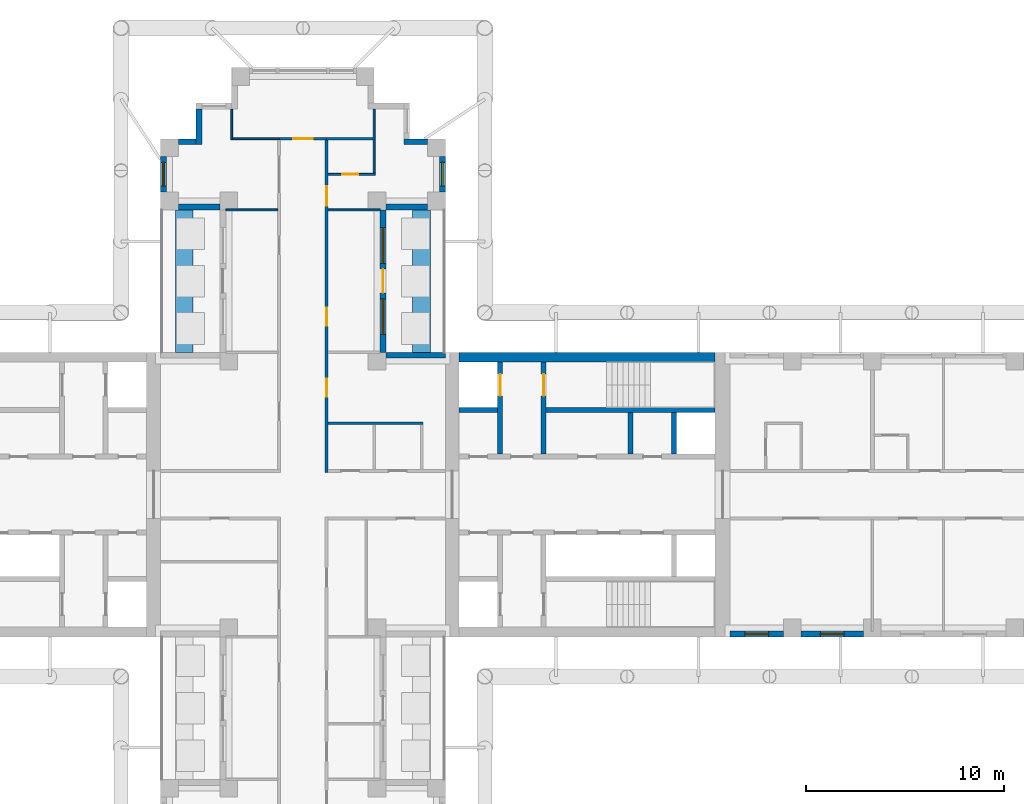
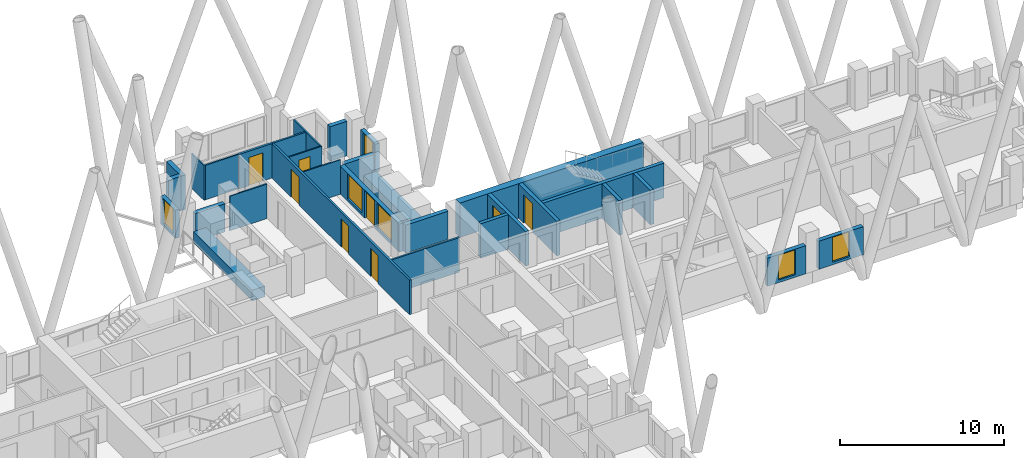
# One storey, part 9 of 14: 30 walls, 8 doors, 6 windows, 14 openings.
"""IFC4 building model written with IfcOpenShell, lengths in metres."""

from ifc_helpers import new_model, si_unit, direction, frame, frame_2d, origin, place, context, subcontext, project, spatial, rectangle, extrude, material, layer, layer_set, type_object, element, fill, save


model = new_model("IFC4")

# Units and contexts
model_context = context("Model", 3, precision=1e-05, world=origin(), true_north=direction((0.0, 1.0)))
body_context = subcontext(model_context, "Body", "Model", "MODEL_VIEW")
ifc_project = project(units=[si_unit("LENGTHUNIT", "METRE"), si_unit("AREAUNIT", "SQUARE_METRE"), si_unit("VOLUMEUNIT", "CUBIC_METRE"), si_unit("PLANEANGLEUNIT", "RADIAN"), si_unit("MASSUNIT", "GRAM", prefix="KILO")], contexts=[model_context])

# Site, building, storey
site_placement = place(None, origin())
site = spatial("IfcSite", under=ifc_project, at=site_placement, CompositionType="ELEMENT")
building_placement = place(site_placement, origin())
building = spatial("IfcBuilding", under=site, at=building_placement, Name="Fustian Cross Tower", CompositionType="ELEMENT")
storey_placement = place(building_placement, frame((0.0, 0.0, 90.89990234375)))
storey = spatial("IfcBuildingStorey", under=building, at=storey_placement, Name="L28", CompositionType="ELEMENT", Elevation=90.89990234375)

# Wall, opening, door
ifc_material_1 = material(Name="Plasterboard on steel stud", Category="steel")
ifc_layer_1 = layer(ifc_material_1, 0.14990234375)
ifc_layer_set_1 = layer_set([ifc_layer_1], Name="Plasterboard on steel stud")
wall_type_1 = type_object("IfcWallType", Name="COMPARTMENT WALL 150 EI 60", PredefinedType="PARTITIONING", material=ifc_layer_set_1)
wall_1_placement = place(storey_placement, frame((-1.199951171875, 18.0, 0.0), z_axis=(0.0, 0.0, 1.0), x_axis=(1.0, 0.0, 0.0)))
wall_1 = element("IfcWall", 1, at=wall_1_placement, inside=storey, type_object=wall_type_1, Name="Partition 40", PredefinedType="PARTITIONING", context=body_context, shape_type="SweptSolid", body=[
    extrude(rectangle(XDim=2.39990234375, YDim=0.14990234375, at=frame_2d((1.199951171875, 0.0))), origin(), (0.0, 0.0, 1.0), 2.5751953125),
])
opening_1_placement = place(wall_1_placement, frame((0.699951171875, 0.0, 0.0)))
opening_1 = element("IfcOpeningElement", 2, at=opening_1_placement, cuts=wall_1, Name="Opening D13017", PredefinedType="OPENING", context=body_context, shape_type="SweptSolid", body=[
    extrude(rectangle(XDim=1.0, YDim=2.10009765625, at=frame_2d((0.5, 1.050048828125))), frame((0.0, 0.0849609375, 0.0), z_axis=(0.0, -1.0, 0.0), x_axis=(1.0, 0.0, 0.0)), (0.0, 0.0, 1.0), 0.169921875),
])
ifc_material_2 = material(Name="Timber fire door set", Category="wood")
door_type_1 = type_object("IfcDoorType", Name="FIRE SWING DOOR 1000 FD30S", OperationType="SINGLE_SWING_LEFT", PredefinedType="DOOR", material=ifc_material_2)
door_1_placement = place(opening_1_placement, origin())
door_1 = element("IfcDoor", 3, at=door_1_placement, inside=storey, type_object=door_type_1, Name="Door D13017", OperationType="SINGLE_SWING_LEFT", OverallHeight=2.10009765625, OverallWidth=1.0, PredefinedType="DOOR", context=body_context, shape_type="SweptSolid", body=[
    extrude(rectangle(XDim=1.0, YDim=2.10009765625, at=frame_2d((0.5, 1.050048828125))), frame((0.0, 0.02490234375, 0.0), z_axis=(0.0, -1.0, 0.0), x_axis=(1.0, 0.0, 0.0)), (0.0, 0.0, 1.0), 0.050048828125),
])
fill(opening_1, door_1)

# Wall, openings, doors
wall_2_placement = place(storey_placement, frame((1.199951171875, 1.125, 0.0), z_axis=(0.0, 0.0, 1.0), x_axis=(0.0, 1.0, 0.0)))
wall_2 = element("IfcWall", 4, at=wall_2_placement, inside=storey, type_object=wall_type_1, Name="Partition 49", PredefinedType="PARTITIONING", context=body_context, shape_type="SweptSolid", body=[
    extrude(rectangle(XDim=16.800048828125, YDim=0.14990234375, at=frame_2d((8.39990234375, 0.0))), origin(), (0.0, 0.0, 1.0), 2.5751953125),
])
opening_2_placement = place(wall_2_placement, frame((3.824951171875, 0.0, 0.0)))
opening_2 = element("IfcOpeningElement", 5, at=opening_2_placement, cuts=wall_2, Name="Opening D13003", PredefinedType="OPENING", context=body_context, shape_type="SweptSolid", body=[
    extrude(rectangle(XDim=0.89990234375, YDim=2.10009765625, at=frame_2d((0.449951171875, 1.050048828125))), frame((0.0, 0.0849609375, 0.0), z_axis=(0.0, -1.0, 0.0), x_axis=(1.0, 0.0, 0.0)), (0.0, 0.0, 1.0), 0.169921875),
])
opening_3_placement = place(wall_2_placement, frame((7.425048828125, 0.0, 0.0)))
opening_3 = element("IfcOpeningElement", 6, at=opening_3_placement, cuts=wall_2, Name="Opening D13020", PredefinedType="OPENING", context=body_context, shape_type="SweptSolid", body=[
    extrude(rectangle(XDim=0.89990234375, YDim=2.10009765625, at=frame_2d((0.449951171875, 1.050048828125))), frame((0.0, 0.0849609375, 0.0), z_axis=(0.0, -1.0, 0.0), x_axis=(1.0, 0.0, 0.0)), (0.0, 0.0, 1.0), 0.169921875),
])
opening_4_placement = place(wall_2_placement, frame((13.47509765625, 0.0, 0.0)))
opening_4 = element("IfcOpeningElement", 7, at=opening_4_placement, cuts=wall_2, Name="Opening D13022", PredefinedType="OPENING", context=body_context, shape_type="SweptSolid", body=[
    extrude(rectangle(XDim=1.0, YDim=2.10009765625, at=frame_2d((0.5, 1.050048828125))), frame((0.0, 0.0849609375, 0.0), z_axis=(0.0, -1.0, 0.0), x_axis=(1.0, 0.0, 0.0)), (0.0, 0.0, 1.0), 0.169921875),
])
door_2_placement = place(opening_4_placement, frame((1.0, 0.0, 0.0), z_axis=(0.0, 0.0, 1.0), x_axis=(-1.0, 0.0, 0.0)))
door_2 = element("IfcDoor", 8, at=door_2_placement, inside=storey, type_object=door_type_1, Name="Door D13022", OperationType="SINGLE_SWING_RIGHT", OverallHeight=2.10009765625, OverallWidth=1.0, PredefinedType="DOOR", context=body_context, shape_type="SweptSolid", body=[
    extrude(rectangle(XDim=1.0, YDim=2.10009765625, at=frame_2d((0.5, 1.050048828125))), frame((0.0, 0.02490234375, 0.0), z_axis=(0.0, -1.0, 0.0), x_axis=(1.0, 0.0, 0.0)), (0.0, 0.0, 1.0), 0.050048828125),
])
fill(opening_4, door_2)
ifc_material_3 = material(Name="Timber fire door set", Category="wood")
door_type_2 = type_object("IfcDoorType", Name="FIRE SWING DOOR 900 FD30S", OperationType="SINGLE_SWING_LEFT", PredefinedType="DOOR", material=ifc_material_3)
door_3_placement = place(opening_2_placement, frame((0.89990234375, 0.0, 0.0), z_axis=(0.0, 0.0, 1.0), x_axis=(-1.0, 0.0, 0.0)))
door_3 = element("IfcDoor", 9, at=door_3_placement, inside=storey, type_object=door_type_2, Name="Door D13003", OperationType="SINGLE_SWING_RIGHT", OverallHeight=2.10009765625, OverallWidth=0.89990234375, PredefinedType="DOOR", context=body_context, shape_type="SweptSolid", body=[
    extrude(rectangle(XDim=0.89990234375, YDim=2.10009765625, at=frame_2d((0.449951171875, 1.050048828125))), frame((0.0, 0.02490234375, 0.0), z_axis=(0.0, -1.0, 0.0), x_axis=(1.0, 0.0, 0.0)), (0.0, 0.0, 1.0), 0.050048828125),
])
fill(opening_2, door_3)
door_4_placement = place(opening_3_placement, frame((0.89990234375, 0.0, 0.0), z_axis=(0.0, 0.0, 1.0), x_axis=(-1.0, 0.0, 0.0)))
door_4 = element("IfcDoor", 10, at=door_4_placement, inside=storey, type_object=door_type_2, Name="Door D13020", OperationType="SINGLE_SWING_RIGHT", OverallHeight=2.10009765625, OverallWidth=0.89990234375, PredefinedType="DOOR", context=body_context, shape_type="SweptSolid", body=[
    extrude(rectangle(XDim=0.89990234375, YDim=2.10009765625, at=frame_2d((0.449951171875, 1.050048828125))), frame((0.0, 0.02490234375, 0.0), z_axis=(0.0, -1.0, 0.0), x_axis=(1.0, 0.0, 0.0)), (0.0, 0.0, 1.0), 0.050048828125),
])
fill(opening_3, door_4)

# Walls
ifc_material_4 = material(Name="Concrete C70/85", Category="concrete")
ifc_layer_2 = layer(ifc_material_4, 0.5)
ifc_layer_set_2 = layer_set([ifc_layer_2], Name="Concrete C70/85")
wall_type_2 = type_object("IfcWallType", Name="CORE FACADE WALL 500 C70/85", PredefinedType="SHEAR", material=ifc_layer_set_2)
wall_3_placement = place(storey_placement, frame((7.89990234375, 6.949951171875, 0.0), z_axis=(0.0, 0.0, 1.0), x_axis=(1.0, 0.0, 0.0)))
element("IfcWall", 11, at=wall_3_placement, inside=storey, type_object=wall_type_2, Name="Core facade wall", PredefinedType="SHEAR", context=body_context, shape_type="SweptSolid", body=[
    extrude(rectangle(XDim=12.9501953125, YDim=0.5, at=frame_2d((6.47509765625, 0.0))), origin(), (0.0, 0.0, 1.0), 2.5751953125),
])
ifc_material_5 = material(Name="Concrete C50/60", Category="concrete")
ifc_layer_3 = layer(ifc_material_5, 0.25)
ifc_layer_set_3 = layer_set([ifc_layer_3], Name="Concrete C50/60")
wall_type_3 = type_object("IfcWallType", Name="CORE SHAFT WALL 250 C50/60", PredefinedType="SHEAR", material=ifc_layer_set_3)
wall_4_placement = place(storey_placement, frame((7.89990234375, 4.27490234375, 0.0), z_axis=(0.0, 0.0, 1.0), x_axis=(1.0, 0.0, 0.0)))
element("IfcWall", 12, at=wall_4_placement, inside=storey, type_object=wall_type_3, Name="Core shaft wall", PredefinedType="SHEAR", context=body_context, shape_type="SweptSolid", body=[
    extrude(rectangle(XDim=1.9501953125, YDim=0.25, at=frame_2d((0.97509765625, 0.0))), origin(), (0.0, 0.0, 1.0), 2.5751953125),
])
wall_5_placement = place(storey_placement, frame((12.300048828125, 4.27490234375, 0.0), z_axis=(0.0, 0.0, 1.0), x_axis=(1.0, 0.0, 0.0)))
element("IfcWall", 13, at=wall_5_placement, inside=storey, type_object=wall_type_3, Name="Core shaft wall", PredefinedType="SHEAR", context=body_context, shape_type="SweptSolid", body=[
    extrude(rectangle(XDim=8.550048828125, YDim=0.25, at=frame_2d((4.27490234375, 0.0))), origin(), (0.0, 0.0, 1.0), 2.5751953125),
])

# Wall, opening, door
wall_6_placement = place(storey_placement, frame((9.97509765625, 2.050048828125, 0.0), z_axis=(0.0, 0.0, 1.0), x_axis=(0.0, 1.0, 0.0)))
wall_6 = element("IfcWall", 14, at=wall_6_placement, inside=storey, type_object=wall_type_3, Name="Core shaft wall", PredefinedType="SHEAR", context=body_context, shape_type="SweptSolid", body=[
    extrude(rectangle(XDim=4.64990234375, YDim=0.25, at=frame_2d((2.324951171875, 0.0))), origin(), (0.0, 0.0, 1.0), 2.5751953125),
])
opening_5_placement = place(wall_6_placement, frame((2.949951171875, 0.0, 0.0)))
opening_5 = element("IfcOpeningElement", 15, at=opening_5_placement, cuts=wall_6, Name="Opening LD", PredefinedType="OPENING", context=body_context, shape_type="SweptSolid", body=[
    extrude(rectangle(XDim=1.10009765625, YDim=2.10009765625, at=frame_2d((0.550048828125, 1.050048828125))), frame((0.0, 0.135009765625, 0.0), z_axis=(0.0, -1.0, 0.0), x_axis=(1.0, 0.0, 0.0)), (0.0, 0.0, 1.0), 0.27001953125),
])
ifc_material_6 = material(Name="Stainless steel", Category="steel")
door_type_3 = type_object("IfcDoorType", Name="LIFT LANDING DOOR 1100X2100", OperationType="SLIDING_TO_LEFT", PredefinedType="DOOR", material=ifc_material_6)
door_5_placement = place(opening_5_placement, origin())
door_5 = element("IfcDoor", 16, at=door_5_placement, inside=storey, type_object=door_type_3, Name="Landing door FL1", OperationType="SLIDING_TO_LEFT", OverallHeight=2.10009765625, OverallWidth=1.10009765625, PredefinedType="DOOR", context=body_context, shape_type="SweptSolid", body=[
    extrude(rectangle(XDim=1.10009765625, YDim=2.10009765625, at=frame_2d((0.550048828125, 1.050048828125))), frame((0.0, 0.02490234375, 0.0), z_axis=(0.0, -1.0, 0.0), x_axis=(1.0, 0.0, 0.0)), (0.0, 0.0, 1.0), 0.050048828125),
])
fill(opening_5, door_5)

wall_7_placement = place(storey_placement, frame((12.175048828125, 2.050048828125, 0.0), z_axis=(0.0, 0.0, 1.0), x_axis=(0.0, 1.0, 0.0)))
wall_7 = element("IfcWall", 17, at=wall_7_placement, inside=storey, type_object=wall_type_3, Name="Core shaft wall", PredefinedType="SHEAR", context=body_context, shape_type="SweptSolid", body=[
    extrude(rectangle(XDim=4.64990234375, YDim=0.25, at=frame_2d((2.324951171875, 0.0))), origin(), (0.0, 0.0, 1.0), 2.5751953125),
])
opening_6_placement = place(wall_7_placement, frame((2.949951171875, 0.0, 0.0)))
opening_6 = element("IfcOpeningElement", 18, at=opening_6_placement, cuts=wall_7, Name="Opening CD-11-06", PredefinedType="OPENING", context=body_context, shape_type="SweptSolid", body=[
    extrude(rectangle(XDim=1.10009765625, YDim=2.10009765625, at=frame_2d((0.550048828125, 1.050048828125))), frame((0.0, 0.135009765625, 0.0), z_axis=(0.0, -1.0, 0.0), x_axis=(1.0, 0.0, 0.0)), (0.0, 0.0, 1.0), 0.27001953125),
])
ifc_material_7 = material(Name="Steel", Category="steel")
door_type_4 = type_object("IfcDoorType", Name="FIRE DOOR FD60S 1100X2100", OperationType="SINGLE_SWING_LEFT", PredefinedType="DOOR", material=ifc_material_7)
door_6_placement = place(opening_6_placement, frame((1.10009765625, 0.0, 0.0), z_axis=(0.0, 0.0, 1.0), x_axis=(-1.0, 0.0, 0.0)))
door_6 = element("IfcDoor", 19, at=door_6_placement, inside=storey, type_object=door_type_4, Name="Core door CD-11-06", OperationType="SINGLE_SWING_RIGHT", OverallHeight=2.10009765625, OverallWidth=1.10009765625, PredefinedType="DOOR", context=body_context, shape_type="SweptSolid", body=[
    extrude(rectangle(XDim=1.10009765625, YDim=2.10009765625, at=frame_2d((0.550048828125, 1.050048828125))), frame((0.0, 0.02490234375, 0.0), z_axis=(0.0, -1.0, 0.0), x_axis=(1.0, 0.0, 0.0)), (0.0, 0.0, 1.0), 0.050048828125),
])
fill(opening_6, door_6)

# Walls
ifc_material_8 = material(Name="Plasterboard on steel stud", Category="steel")
ifc_layer_4 = layer(ifc_material_8, 0.10009765625)
ifc_layer_set_4 = layer_set([ifc_layer_4], Name="Plasterboard on steel stud")
wall_type_4 = type_object("IfcWallType", Name="PARTITION 100 STUD", PredefinedType="PARTITIONING", material=ifc_layer_set_4)
wall_8_placement = place(storey_placement, frame((-3.89990234375, 14.39990234375, 0.0), z_axis=(0.0, 0.0, 1.0), x_axis=(1.0, 0.0, 0.0)))
element("IfcWall", 20, at=wall_8_placement, inside=storey, type_object=wall_type_4, Name="Partition 34", PredefinedType="PARTITIONING", context=body_context, shape_type="SweptSolid", body=[
    extrude(rectangle(XDim=2.625, YDim=0.10009765625, at=frame_2d((1.3125, 0.0))), origin(), (0.0, 0.0, 1.0), 2.5751953125),
])
wall_9_placement = place(storey_placement, frame((-3.60009765625, 17.949951171875, 0.0), z_axis=(0.0, 0.0, 1.0), x_axis=(0.0, 1.0, 0.0)))
element("IfcWall", 21, at=wall_9_placement, inside=storey, type_object=wall_type_4, Name="Partition 35", PredefinedType="PARTITIONING", context=body_context, shape_type="SweptSolid", body=[
    extrude(rectangle(XDim=1.550048828125, YDim=0.10009765625, at=frame_2d((0.77490234375, 0.0))), origin(), (0.0, 0.0, 1.0), 2.5751953125),
])
wall_10_placement = place(storey_placement, frame((-3.550048828125, 18.0, 0.0), z_axis=(0.0, 0.0, 1.0), x_axis=(1.0, 0.0, 0.0)))
element("IfcWall", 22, at=wall_10_placement, inside=storey, type_object=wall_type_4, Name="Partition 36", PredefinedType="PARTITIONING", context=body_context, shape_type="SweptSolid", body=[
    extrude(rectangle(XDim=2.35009765625, YDim=0.10009765625, at=frame_2d((1.175048828125, 0.0))), origin(), (0.0, 0.0, 1.0), 2.5751953125),
])
wall_11_placement = place(storey_placement, frame((1.27490234375, 14.39990234375, 0.0), z_axis=(0.0, 0.0, 1.0), x_axis=(1.0, 0.0, 0.0)))
element("IfcWall", 23, at=wall_11_placement, inside=storey, type_object=wall_type_4, Name="Partition 53", PredefinedType="PARTITIONING", context=body_context, shape_type="SweptSolid", body=[
    extrude(rectangle(XDim=2.625, YDim=0.10009765625, at=frame_2d((1.3125, 0.0))), origin(), (0.0, 0.0, 1.0), 2.5751953125),
])

# Wall, opening, door
wall_12_placement = place(storey_placement, frame((1.27490234375, 16.199951171875, 0.0), z_axis=(0.0, 0.0, 1.0), x_axis=(1.0, 0.0, 0.0)))
wall_12 = element("IfcWall", 24, at=wall_12_placement, inside=storey, type_object=wall_type_4, Name="Partition 54", PredefinedType="PARTITIONING", context=body_context, shape_type="SweptSolid", body=[
    extrude(rectangle(XDim=2.375, YDim=0.10009765625, at=frame_2d((1.1875, 0.0))), origin(), (0.0, 0.0, 1.0), 2.5751953125),
])
opening_7_placement = place(wall_12_placement, frame((0.72509765625, 0.0, 0.0)))
opening_7 = element("IfcOpeningElement", 25, at=opening_7_placement, cuts=wall_12, Name="Opening D13021", PredefinedType="OPENING", context=body_context, shape_type="SweptSolid", body=[
    extrude(rectangle(XDim=0.800048828125, YDim=2.10009765625, at=frame_2d((0.39990234375, 1.050048828125))), frame((0.0, 0.06005859375, 0.0), z_axis=(0.0, -1.0, 0.0), x_axis=(1.0, 0.0, 0.0)), (0.0, 0.0, 1.0), 0.1201171875),
])
ifc_material_9 = material(Name="Painted timber", Category="wood")
door_type_5 = type_object("IfcDoorType", Name="SWING DOOR 800", OperationType="SINGLE_SWING_LEFT", PredefinedType="DOOR", material=ifc_material_9)
door_7_placement = place(opening_7_placement, origin())
door_7 = element("IfcDoor", 26, at=door_7_placement, inside=storey, type_object=door_type_5, Name="Door D13021", OperationType="SINGLE_SWING_LEFT", OverallHeight=2.10009765625, OverallWidth=0.800048828125, PredefinedType="DOOR", context=body_context, shape_type="SweptSolid", body=[
    extrude(rectangle(XDim=0.800048828125, YDim=2.10009765625, at=frame_2d((0.39990234375, 1.050048828125))), frame((0.0, 0.02490234375, 0.0), z_axis=(0.0, -1.0, 0.0), x_axis=(1.0, 0.0, 0.0)), (0.0, 0.0, 1.0), 0.050048828125),
])
fill(opening_7, door_7)

# Walls
wall_13_placement = place(storey_placement, frame((3.60009765625, 16.25, 0.0), z_axis=(0.0, 0.0, 1.0), x_axis=(0.0, 1.0, 0.0)))
element("IfcWall", 27, at=wall_13_placement, inside=storey, type_object=wall_type_4, Name="Partition 64", PredefinedType="PARTITIONING", context=body_context, shape_type="SweptSolid", body=[
    extrude(rectangle(XDim=3.25, YDim=0.10009765625, at=frame_2d((1.625, 0.0))), origin(), (0.0, 0.0, 1.0), 2.5751953125),
])
ifc_material_10 = material(Name="Concrete C40/50", Category="concrete")
ifc_layer_5 = layer(ifc_material_10, 0.89990234375)
ifc_layer_set_5 = layer_set([ifc_layer_5], Name="Concrete C40/50")
wall_type_5 = type_object("IfcWallType", Name="PK1 PLANTER 900", PredefinedType="PARAPET", material=ifc_layer_set_5)
for number, where, z_axis, x_axis, name in (
    (28, (6.0, 7.199951171875, 0.0), (0.0, 0.0, 1.0), (0.0, 1.0, 0.0), "PLANTER"),
    (29, (-6.0, 7.199951171875, 0.0), (0.0, 0.0, 1.0), (0.0, 1.0, 0.0), "PLANTER"),
):
    element("IfcWall", number, at=place(storey_placement, frame(where, z_axis=z_axis, x_axis=x_axis)), inside=storey, type_object=wall_type_5, Name=name, PredefinedType="PARAPET", context=body_context, shape_type="SweptSolid", body=[
        extrude(rectangle(XDim=7.199951171875, YDim=0.89990234375, at=frame_2d((3.60009765625, 0.0))), origin(), (0.0, 0.0, 1.0), 0.800048828125),
    ])
ifc_material_11 = material(Name="Concrete C40/50", Category="concrete")
ifc_layer_6 = layer(ifc_material_11, 0.25)
ifc_layer_set_6 = layer_set([ifc_layer_6], Name="Concrete C40/50")
wall_type_6 = type_object("IfcWallType", Name="SHAFT PARTITION WALL 250 C40/50", PredefinedType="PARTITIONING", material=ifc_layer_set_6)
for number, where, z_axis, x_axis, name in (
    (30, (16.574951171875, 2.050048828125, 0.0), (0.0, 0.0, 1.0), (0.0, 1.0, 0.0), "Core shaft wall"),
    (31, (18.77490234375, 2.050048828125, 0.0), (0.0, 0.0, 1.0), (0.0, 1.0, 0.0), "Core shaft wall"),
):
    element("IfcWall", number, at=place(storey_placement, frame(where, z_axis=z_axis, x_axis=x_axis)), inside=storey, type_object=wall_type_6, Name=name, PredefinedType="PARTITIONING", context=body_context, shape_type="SweptSolid", body=[
        extrude(rectangle(XDim=2.099853515625, YDim=0.25, at=frame_2d((1.0498046875, 0.0))), origin(), (0.0, 0.0, 1.0), 2.5751953125),
    ])
ifc_material_12 = material(Name="Plasterboard on steel stud", Category="steel")
ifc_layer_7 = layer(ifc_material_12, 0.125)
ifc_layer_set_7 = layer_set([ifc_layer_7], Name="Plasterboard on steel stud")
wall_type_7 = type_object("IfcWallType", Name="WET WALL 125 STUD", PredefinedType="PARTITIONING", material=ifc_layer_set_7)
wall_14_placement = place(storey_placement, frame((1.27490234375, 3.60009765625, 0.0), z_axis=(0.0, 0.0, 1.0), x_axis=(1.0, 0.0, 0.0)))
element("IfcWall", 32, at=wall_14_placement, inside=storey, type_object=wall_type_7, Name="Partition 51", PredefinedType="PARTITIONING", context=body_context, shape_type="SweptSolid", body=[
    extrude(rectangle(XDim=4.78759765625, YDim=0.125, at=frame_2d((2.393798828125, 0.0))), origin(), (0.0, 0.0, 1.0), 2.5751953125),
])
wall_15_placement = place(storey_placement, frame((1.199951171875, 18.0, 0.0), z_axis=(0.0, 0.0, 1.0), x_axis=(1.0, 0.0, 0.0)))
element("IfcWall", 33, at=wall_15_placement, inside=storey, type_object=wall_type_7, Name="Partition 55", PredefinedType="PARTITIONING", context=body_context, shape_type="SweptSolid", body=[
    extrude(rectangle(XDim=2.35009765625, YDim=0.125, at=frame_2d((1.175048828125, 0.0))), origin(), (0.0, 0.0, 1.0), 2.5751953125),
])

# Wall, opening, window
ifc_material_13 = material(Name="Dark aluminium cladding on insulated backing wall", Category="aluminium")
ifc_layer_8 = layer(ifc_material_13, 0.300048828125)
ifc_layer_set_8 = layer_set([ifc_layer_8], Name="Dark aluminium cladding on insulated backing wall")
wall_type_8 = type_object("IfcWallType", Name="XW1 EXTERNAL WALL 300", PredefinedType="SOLIDWALL", material=ifc_layer_set_8)
wall_16_placement = place(storey_placement, frame((21.60009765625, -7.050048828125, 0.0), z_axis=(0.0, 0.0, 1.0), x_axis=(1.0, 0.0, 0.0)))
wall_16 = element("IfcWall", 34, at=wall_16_placement, inside=storey, type_object=wall_type_8, Name="External wall", PredefinedType="SOLIDWALL", context=body_context, shape_type="SweptSolid", body=[
    extrude(rectangle(XDim=2.699951171875, YDim=0.300048828125, at=frame_2d((1.35009765625, 0.0))), origin(), (0.0, 0.0, 1.0), 2.10009765625),
])
opening_8_placement = place(wall_16_placement, frame((0.75, 0.0, 0.199951171875)))
opening_8 = element("IfcOpeningElement", 35, at=opening_8_placement, cuts=wall_16, Name="Opening WN3", PredefinedType="OPENING", context=body_context, shape_type="SweptSolid", body=[
    extrude(rectangle(XDim=1.199951171875, YDim=1.85009765625, at=frame_2d((0.60009765625, 0.925048828125))), frame((0.0, 0.159912109375, 0.0), z_axis=(0.0, -1.0, 0.0), x_axis=(1.0, 0.0, 0.0)), (0.0, 0.0, 1.0), 0.320068359375),
])
ifc_material_14 = material(Name="Dark anodised aluminium and double glazing", Category="aluminium")
window_type_1 = type_object("IfcWindowType", Name="WN3 WINDOW 1200X1850", PartitioningType="SINGLE_PANEL", PredefinedType="WINDOW", material=ifc_material_14)
window_1_placement = place(opening_8_placement, origin())
window_1 = element("IfcWindow", 36, at=window_1_placement, inside=storey, type_object=window_type_1, Name="Window", OverallHeight=1.85009765625, OverallWidth=1.199951171875, PartitioningType="SINGLE_PANEL", PredefinedType="WINDOW", context=body_context, shape_type="SweptSolid", body=[
    extrude(rectangle(XDim=1.199951171875, YDim=1.85009765625, at=frame_2d((0.60009765625, 0.925048828125))), frame((0.0, 0.030029296875, 0.0), z_axis=(0.0, -1.0, 0.0), x_axis=(1.0, 0.0, 0.0)), (0.0, 0.0, 1.0), 0.06005859375),
])
fill(opening_8, window_1)

wall_17_placement = place(storey_placement, frame((25.199951171875, -7.050048828125, 0.0), z_axis=(0.0, 0.0, 1.0), x_axis=(1.0, 0.0, 0.0)))
wall_17 = element("IfcWall", 37, at=wall_17_placement, inside=storey, type_object=wall_type_8, Name="External wall", PredefinedType="SOLIDWALL", context=body_context, shape_type="SweptSolid", body=[
    extrude(rectangle(XDim=3.150146484375, YDim=0.300048828125, at=frame_2d((1.5751953125, 0.0))), origin(), (0.0, 0.0, 1.0), 2.10009765625),
])
opening_9_placement = place(wall_17_placement, frame((0.97509765625, 0.0, 0.199951171875)))
opening_9 = element("IfcOpeningElement", 38, at=opening_9_placement, cuts=wall_17, Name="Opening WN3", PredefinedType="OPENING", context=body_context, shape_type="SweptSolid", body=[
    extrude(rectangle(XDim=1.199951171875, YDim=1.85009765625, at=frame_2d((0.60009765625, 0.925048828125))), frame((0.0, 0.159912109375, 0.0), z_axis=(0.0, -1.0, 0.0), x_axis=(1.0, 0.0, 0.0)), (0.0, 0.0, 1.0), 0.320068359375),
])
window_2_placement = place(opening_9_placement, origin())
window_2 = element("IfcWindow", 39, at=window_2_placement, inside=storey, type_object=window_type_1, Name="Window", OverallHeight=1.85009765625, OverallWidth=1.199951171875, PartitioningType="SINGLE_PANEL", PredefinedType="WINDOW", context=body_context, shape_type="SweptSolid", body=[
    extrude(rectangle(XDim=1.199951171875, YDim=1.85009765625, at=frame_2d((0.60009765625, 0.925048828125))), frame((0.0, 0.030029296875, 0.0), z_axis=(0.0, -1.0, 0.0), x_axis=(1.0, 0.0, 0.0)), (0.0, 0.0, 1.0), 0.06005859375),
])
fill(opening_9, window_2)

# Wall
wall_18_placement = place(storey_placement, frame((7.199951171875, 7.050048828125, 0.0), z_axis=(0.0, 0.0, 1.0), x_axis=(-1.0, 0.0, 0.0)))
element("IfcWall", 40, at=wall_18_placement, inside=storey, type_object=wall_type_8, Name="External wall", PredefinedType="SOLIDWALL", context=body_context, shape_type="SweptSolid", body=[
    extrude(rectangle(XDim=3.0, YDim=0.300048828125, at=frame_2d((1.5, 0.0))), origin(), (0.0, 0.0, 1.0), 2.10009765625),
])

# Wall, openings, door, windows
wall_19_placement = place(storey_placement, frame((4.050048828125, 7.199951171875, 0.0), z_axis=(0.0, 0.0, 1.0), x_axis=(0.0, 1.0, 0.0)))
wall_19 = element("IfcWall", 41, at=wall_19_placement, inside=storey, type_object=wall_type_8, Name="External wall", PredefinedType="SOLIDWALL", context=body_context, shape_type="SweptSolid", body=[
    extrude(rectangle(XDim=7.199951171875, YDim=0.300048828125, at=frame_2d((3.60009765625, 0.0))), origin(), (0.0, 0.0, 1.0), 2.10009765625),
])
opening_10_placement = place(wall_19_placement, frame((3.0, 0.0, 0.0)))
opening_10 = element("IfcOpeningElement", 42, at=opening_10_placement, cuts=wall_19, Name="Opening XD1", PredefinedType="OPENING", context=body_context, shape_type="SweptSolid", body=[
    extrude(rectangle(XDim=1.199951171875, YDim=2.050048828125, at=frame_2d((0.60009765625, 1.02490234375))), frame((0.0, 0.159912109375, 0.0), z_axis=(0.0, -1.0, 0.0), x_axis=(1.0, 0.0, 0.0)), (0.0, 0.0, 1.0), 0.320068359375),
])
opening_11_placement = place(wall_19_placement, frame((0.89990234375, 0.0, 0.199951171875)))
opening_11 = element("IfcOpeningElement", 43, at=opening_11_placement, cuts=wall_19, Name="Opening WN2", PredefinedType="OPENING", context=body_context, shape_type="SweptSolid", body=[
    extrude(rectangle(XDim=1.800048828125, YDim=1.85009765625, at=frame_2d((0.89990234375, 0.925048828125))), frame((0.0, 0.159912109375, 0.0), z_axis=(0.0, -1.0, 0.0), x_axis=(1.0, 0.0, 0.0)), (0.0, 0.0, 1.0), 0.320068359375),
])
opening_12_placement = place(wall_19_placement, frame((4.5, 0.0, 0.199951171875)))
opening_12 = element("IfcOpeningElement", 44, at=opening_12_placement, cuts=wall_19, Name="Opening WN2", PredefinedType="OPENING", context=body_context, shape_type="SweptSolid", body=[
    extrude(rectangle(XDim=1.800048828125, YDim=1.85009765625, at=frame_2d((0.89990234375, 0.925048828125))), frame((0.0, 0.159912109375, 0.0), z_axis=(0.0, -1.0, 0.0), x_axis=(1.0, 0.0, 0.0)), (0.0, 0.0, 1.0), 0.320068359375),
])
ifc_material_15 = material(Name="Dark anodised aluminium and double glazing", Category="aluminium")
door_type_6 = type_object("IfcDoorType", Name="ED1 BALCONY DOOR 1200X2050", OperationType="SINGLE_SWING_LEFT", PredefinedType="DOOR", material=ifc_material_15)
door_8_placement = place(opening_10_placement, origin())
door_8 = element("IfcDoor", 45, at=door_8_placement, inside=storey, type_object=door_type_6, Name="Balcony door", OperationType="SINGLE_SWING_LEFT", OverallHeight=2.050048828125, OverallWidth=1.199951171875, PredefinedType="DOOR", context=body_context, shape_type="SweptSolid", body=[
    extrude(rectangle(XDim=1.199951171875, YDim=2.050048828125, at=frame_2d((0.60009765625, 1.02490234375))), frame((0.0, 0.02490234375, 0.0), z_axis=(0.0, -1.0, 0.0), x_axis=(1.0, 0.0, 0.0)), (0.0, 0.0, 1.0), 0.050048828125),
])
fill(opening_10, door_8)
ifc_material_16 = material(Name="Dark anodised aluminium and double glazing", Category="aluminium")
window_type_2 = type_object("IfcWindowType", Name="WN2 WINDOW 1800X1850", PartitioningType="SINGLE_PANEL", PredefinedType="WINDOW", material=ifc_material_16)
window_3_placement = place(opening_11_placement, origin())
window_3 = element("IfcWindow", 46, at=window_3_placement, inside=storey, type_object=window_type_2, Name="Window", OverallHeight=1.85009765625, OverallWidth=1.800048828125, PartitioningType="SINGLE_PANEL", PredefinedType="WINDOW", context=body_context, shape_type="SweptSolid", body=[
    extrude(rectangle(XDim=1.800048828125, YDim=1.85009765625, at=frame_2d((0.89990234375, 0.925048828125))), frame((0.0, 0.030029296875, 0.0), z_axis=(0.0, -1.0, 0.0), x_axis=(1.0, 0.0, 0.0)), (0.0, 0.0, 1.0), 0.06005859375),
])
fill(opening_11, window_3)
window_4_placement = place(opening_12_placement, origin())
window_4 = element("IfcWindow", 47, at=window_4_placement, inside=storey, type_object=window_type_2, Name="Window", OverallHeight=1.85009765625, OverallWidth=1.800048828125, PartitioningType="SINGLE_PANEL", PredefinedType="WINDOW", context=body_context, shape_type="SweptSolid", body=[
    extrude(rectangle(XDim=1.800048828125, YDim=1.85009765625, at=frame_2d((0.89990234375, 0.925048828125))), frame((0.0, 0.030029296875, 0.0), z_axis=(0.0, -1.0, 0.0), x_axis=(1.0, 0.0, 0.0)), (0.0, 0.0, 1.0), 0.06005859375),
])
fill(opening_12, window_4)

# Wall
wall_20_placement = place(storey_placement, frame((4.199951171875, 14.550048828125, 0.0), z_axis=(0.0, 0.0, 1.0), x_axis=(1.0, 0.0, 0.0)))
element("IfcWall", 48, at=wall_20_placement, inside=storey, type_object=wall_type_8, Name="External wall", PredefinedType="SOLIDWALL", context=body_context, shape_type="SweptSolid", body=[
    extrude(rectangle(XDim=2.10009765625, YDim=0.300048828125, at=frame_2d((1.050048828125, 0.0))), origin(), (0.0, 0.0, 1.0), 2.10009765625),
])

# Wall, opening, window
wall_21_placement = place(storey_placement, frame((7.050048828125, 15.300048828125, 0.0), z_axis=(0.0, 0.0, 1.0), x_axis=(0.0, 1.0, 0.0)))
wall_21 = element("IfcWall", 49, at=wall_21_placement, inside=storey, type_object=wall_type_8, Name="External wall", PredefinedType="SOLIDWALL", context=body_context, shape_type="SweptSolid", body=[
    extrude(rectangle(XDim=1.800048828125, YDim=0.300048828125, at=frame_2d((0.89990234375, 0.0))), origin(), (0.0, 0.0, 1.0), 2.10009765625),
])
opening_13_placement = place(wall_21_placement, frame((0.300048828125, 0.0, 0.199951171875)))
opening_13 = element("IfcOpeningElement", 50, at=opening_13_placement, cuts=wall_21, Name="Opening WN3", PredefinedType="OPENING", context=body_context, shape_type="SweptSolid", body=[
    extrude(rectangle(XDim=1.199951171875, YDim=1.85009765625, at=frame_2d((0.60009765625, 0.925048828125))), frame((0.0, 0.159912109375, 0.0), z_axis=(0.0, -1.0, 0.0), x_axis=(1.0, 0.0, 0.0)), (0.0, 0.0, 1.0), 0.320068359375),
])
window_5_placement = place(opening_13_placement, origin())
window_5 = element("IfcWindow", 51, at=window_5_placement, inside=storey, type_object=window_type_1, Name="Window", OverallHeight=1.85009765625, OverallWidth=1.199951171875, PartitioningType="SINGLE_PANEL", PredefinedType="WINDOW", context=body_context, shape_type="SweptSolid", body=[
    extrude(rectangle(XDim=1.199951171875, YDim=1.85009765625, at=frame_2d((0.60009765625, 0.925048828125))), frame((0.0, 0.030029296875, 0.0), z_axis=(0.0, -1.0, 0.0), x_axis=(1.0, 0.0, 0.0)), (0.0, 0.0, 1.0), 0.06005859375),
])
fill(opening_13, window_5)

# Walls
wall_22_placement = place(storey_placement, frame((6.300048828125, 17.85009765625, 0.0), z_axis=(0.0, 0.0, 1.0), x_axis=(-1.0, 0.0, 0.0)))
element("IfcWall", 52, at=wall_22_placement, inside=storey, type_object=wall_type_8, Name="External wall", PredefinedType="SOLIDWALL", context=body_context, shape_type="SweptSolid", body=[
    extrude(rectangle(XDim=1.199951171875, YDim=0.300048828125, at=frame_2d((0.60009765625, 0.0))), origin(), (0.0, 0.0, 1.0), 2.5751953125),
])
wall_23_placement = place(storey_placement, frame((-5.25, 19.5, 0.0), z_axis=(0.0, 0.0, 1.0), x_axis=(0.0, -1.0, 0.0)))
element("IfcWall", 53, at=wall_23_placement, inside=storey, type_object=wall_type_8, Name="External wall", PredefinedType="SOLIDWALL", context=body_context, shape_type="SweptSolid", body=[
    extrude(rectangle(XDim=1.800048828125, YDim=0.300048828125, at=frame_2d((0.89990234375, 0.0))), origin(), (0.0, 0.0, 1.0), 2.5751953125),
])
wall_24_placement = place(storey_placement, frame((-5.39990234375, 17.85009765625, 0.0), z_axis=(0.0, 0.0, 1.0), x_axis=(-1.0, 0.0, 0.0)))
element("IfcWall", 54, at=wall_24_placement, inside=storey, type_object=wall_type_8, Name="External wall", PredefinedType="SOLIDWALL", context=body_context, shape_type="SweptSolid", body=[
    extrude(rectangle(XDim=0.900146484375, YDim=0.300048828125, at=frame_2d((0.4501953125, 0.0))), origin(), (0.0, 0.0, 1.0), 2.5751953125),
])

# Wall, opening, window
wall_25_placement = place(storey_placement, frame((-7.050048828125, 17.10009765625, 0.0), z_axis=(0.0, 0.0, 1.0), x_axis=(0.0, -1.0, 0.0)))
wall_25 = element("IfcWall", 55, at=wall_25_placement, inside=storey, type_object=wall_type_8, Name="External wall", PredefinedType="SOLIDWALL", context=body_context, shape_type="SweptSolid", body=[
    extrude(rectangle(XDim=1.800048828125, YDim=0.300048828125, at=frame_2d((0.89990234375, 0.0))), origin(), (0.0, 0.0, 1.0), 2.10009765625),
])
opening_14_placement = place(wall_25_placement, frame((0.300048828125, 0.0, 0.199951171875)))
opening_14 = element("IfcOpeningElement", 56, at=opening_14_placement, cuts=wall_25, Name="Opening WN3", PredefinedType="OPENING", context=body_context, shape_type="SweptSolid", body=[
    extrude(rectangle(XDim=1.199951171875, YDim=1.85009765625, at=frame_2d((0.60009765625, 0.925048828125))), frame((0.0, 0.159912109375, 0.0), z_axis=(0.0, -1.0, 0.0), x_axis=(1.0, 0.0, 0.0)), (0.0, 0.0, 1.0), 0.320068359375),
])
window_6_placement = place(opening_14_placement, origin())
window_6 = element("IfcWindow", 57, at=window_6_placement, inside=storey, type_object=window_type_1, Name="Window", OverallHeight=1.85009765625, OverallWidth=1.199951171875, PartitioningType="SINGLE_PANEL", PredefinedType="WINDOW", context=body_context, shape_type="SweptSolid", body=[
    extrude(rectangle(XDim=1.199951171875, YDim=1.85009765625, at=frame_2d((0.60009765625, 0.925048828125))), frame((0.0, 0.030029296875, 0.0), z_axis=(0.0, -1.0, 0.0), x_axis=(1.0, 0.0, 0.0)), (0.0, 0.0, 1.0), 0.06005859375),
])
fill(opening_14, window_6)

# Wall
wall_26_placement = place(storey_placement, frame((-6.300048828125, 14.550048828125, 0.0), z_axis=(0.0, 0.0, 1.0), x_axis=(1.0, 0.0, 0.0)))
element("IfcWall", 58, at=wall_26_placement, inside=storey, type_object=wall_type_8, Name="External wall", PredefinedType="SOLIDWALL", context=body_context, shape_type="SweptSolid", body=[
    extrude(rectangle(XDim=2.10009765625, YDim=0.300048828125, at=frame_2d((1.050048828125, 0.0))), origin(), (0.0, 0.0, 1.0), 2.10009765625),
])

save(model, "model.ifc")
